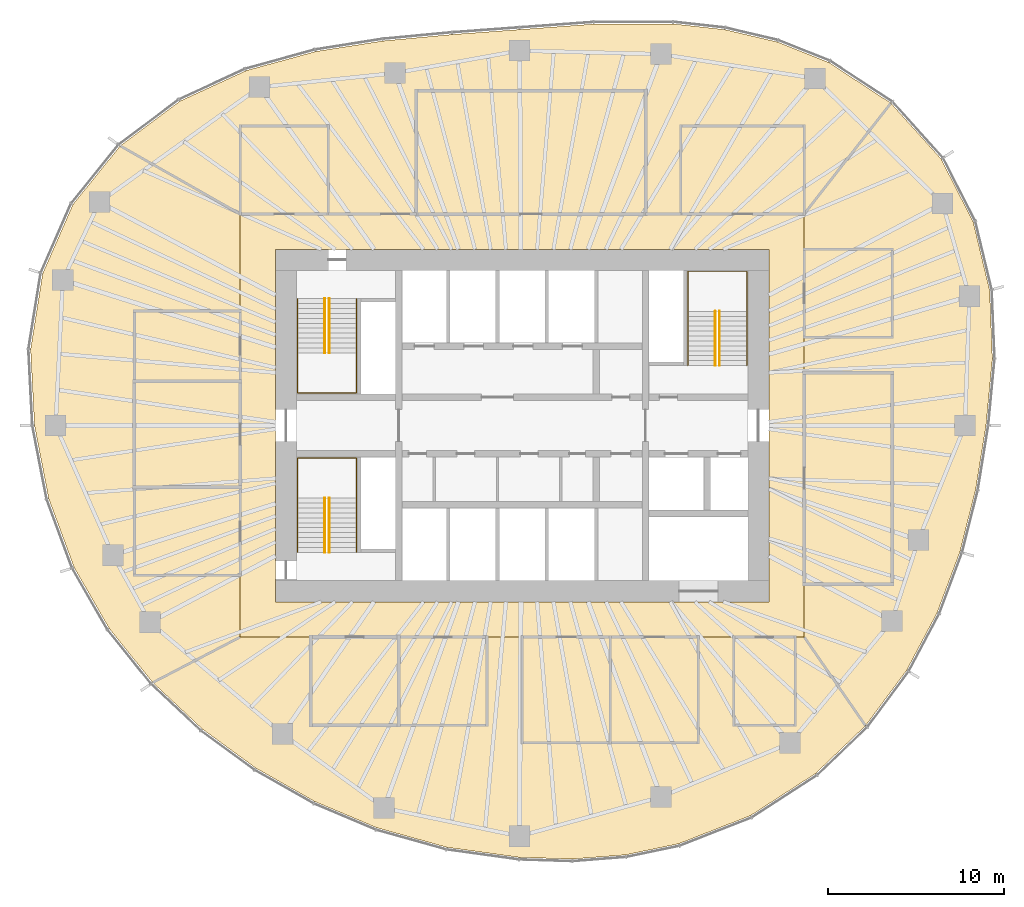
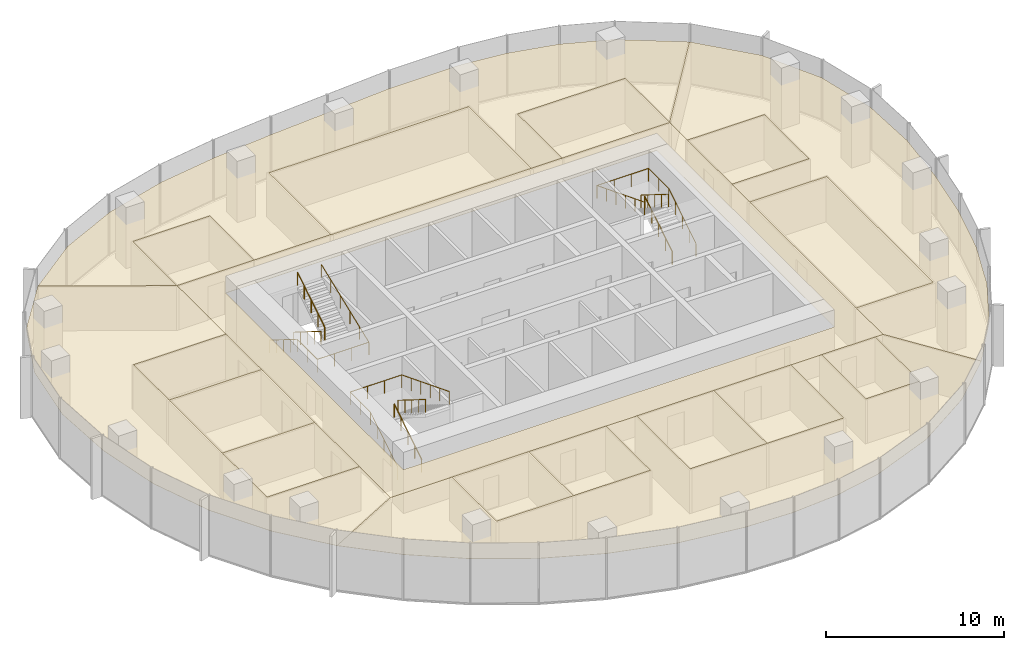
# One storey, part 11 of 11: 18 coverings, 9 railings.
"""IFC4 building model written with IfcOpenShell, lengths in metres."""

from ifc_helpers import new_model, si_unit, direction, frame, origin, origin_2d, place, context, subcontext, project, spatial, polyline, circle, outline, extrude, material, layer, layer_set, type_object, element, save


model = new_model("IFC4")

# Units and contexts
model_context = context("Model", 3, precision=1e-05, world=origin(), true_north=direction((0.0, 1.0)))
body_context = subcontext(model_context, "Body", "Model", "MODEL_VIEW")
ifc_project = project(units=[si_unit("LENGTHUNIT", "METRE"), si_unit("AREAUNIT", "SQUARE_METRE"), si_unit("VOLUMEUNIT", "CUBIC_METRE"), si_unit("PLANEANGLEUNIT", "RADIAN"), si_unit("MASSUNIT", "GRAM", prefix="KILO")], contexts=[model_context])

# Site, building, storey
site_placement = place(None, origin())
site = spatial("IfcSite", under=ifc_project, at=site_placement, CompositionType="ELEMENT")
building_placement = place(site_placement, origin())
building = spatial("IfcBuilding", under=site, at=building_placement, Name="Ghaith Harvest Tower", CompositionType="ELEMENT")
storey_placement = place(building_placement, frame((0.0, 0.0, 257.800048828125)))
storey = spatial("IfcBuildingStorey", under=building, at=storey_placement, Name="L57", CompositionType="ELEMENT", Elevation=257.800048828125)

# Coverings
ifc_material_1 = material(Name="Mineral fibre ceiling tile", Category="gypsum")
ifc_layer = layer(ifc_material_1, 0.02001953125)
ifc_layer_set = layer_set([ifc_layer], Name="CEILING C1")
covering_type = type_object("IfcCoveringType", Name="CEILING C1", PredefinedType="CEILING", material=ifc_layer_set)
covering_1_placement = place(storey_placement, frame((0.0, 0.0, 3.0)))
element("IfcCovering", 1, at=covering_1_placement, inside=storey, type_object=covering_type, Name="Ceiling L57-01", PredefinedType="CEILING", context=body_context, shape_type="SweptSolid", body=[
    extrude(outline(polyline([(-6.0, 12.0), (7.0, 12.0), (7.0, 19.0), (-6.0, 19.0), (-6.0, 12.0)])), origin(), (0.0, 0.0, 1.0), 0.02001953125),
])
covering_2_placement = place(storey_placement, frame((0.0, 0.0, 3.0)))
element("IfcCovering", 2, at=covering_2_placement, inside=storey, type_object=covering_type, Name="Ceiling L57-02", PredefinedType="CEILING", context=body_context, shape_type="SweptSolid", body=[
    extrude(outline(polyline([(9.0, 12.0), (16.0, 12.0), (16.0, 17.0), (9.0, 17.0), (9.0, 12.0)])), origin(), (0.0, 0.0, 1.0), 0.02001953125),
])
covering_3_placement = place(storey_placement, frame((0.0, 0.0, 3.0)))
element("IfcCovering", 3, at=covering_3_placement, inside=storey, type_object=covering_type, Name="Ceiling L57-03", PredefinedType="CEILING", context=body_context, shape_type="SweptSolid", body=[
    extrude(outline(polyline([(-16.0, 12.0), (-11.0, 12.0), (-11.0, 17.0), (-16.0, 17.0), (-16.0, 12.0)])), origin(), (0.0, 0.0, 1.0), 0.02001953125),
])
covering_4_placement = place(storey_placement, frame((0.0, 0.0, 3.0)))
element("IfcCovering", 4, at=covering_4_placement, inside=storey, type_object=covering_type, Name="Ceiling L57-04", PredefinedType="CEILING", context=body_context, shape_type="SweptSolid", body=[
    extrude(outline(polyline([(16.0, -9.0), (21.0, -9.0), (21.0, 3.0), (16.0, 3.0), (16.0, -9.0)])), origin(), (0.0, 0.0, 1.0), 0.02001953125),
])
covering_5_placement = place(storey_placement, frame((0.0, 0.0, 3.0)))
element("IfcCovering", 5, at=covering_5_placement, inside=storey, type_object=covering_type, Name="Ceiling L57-05", PredefinedType="CEILING", context=body_context, shape_type="SweptSolid", body=[
    extrude(outline(polyline([(-12.0, -17.0), (-7.0, -17.0), (-7.0, -12.0), (-12.0, -12.0), (-12.0, -17.0)])), origin(), (0.0, 0.0, 1.0), 0.02001953125),
])
covering_6_placement = place(storey_placement, frame((0.0, 0.0, 3.0)))
element("IfcCovering", 6, at=covering_6_placement, inside=storey, type_object=covering_type, Name="Ceiling L57-06", PredefinedType="CEILING", context=body_context, shape_type="SweptSolid", body=[
    extrude(outline(polyline([(-7.0, -17.0), (-2.0, -17.0), (-2.0, -12.0), (-7.0, -12.0), (-7.0, -17.0)])), origin(), (0.0, 0.0, 1.0), 0.02001953125),
])
covering_7_placement = place(storey_placement, frame((0.0, 0.0, 3.0)))
element("IfcCovering", 7, at=covering_7_placement, inside=storey, type_object=covering_type, Name="Ceiling L57-07", PredefinedType="CEILING", context=body_context, shape_type="SweptSolid", body=[
    extrude(outline(polyline([(0.0, -18.0), (5.0, -18.0), (5.0, -12.0), (0.0, -12.0), (0.0, -18.0)])), origin(), (0.0, 0.0, 1.0), 0.02001953125),
])
covering_8_placement = place(storey_placement, frame((0.0, 0.0, 3.0)))
element("IfcCovering", 8, at=covering_8_placement, inside=storey, type_object=covering_type, Name="Ceiling L57-08", PredefinedType="CEILING", context=body_context, shape_type="SweptSolid", body=[
    extrude(outline(polyline([(5.0, -18.0), (10.0, -18.0), (10.0, -12.0), (5.0, -12.0), (5.0, -18.0)])), origin(), (0.0, 0.0, 1.0), 0.02001953125),
])
covering_9_placement = place(storey_placement, frame((0.0, 0.0, 3.0)))
element("IfcCovering", 9, at=covering_9_placement, inside=storey, type_object=covering_type, Name="Ceiling L57-09", PredefinedType="CEILING", context=body_context, shape_type="SweptSolid", body=[
    extrude(outline(polyline([(-22.0, -8.5), (-16.0, -8.5), (-16.0, -3.5), (-22.0, -3.5), (-22.0, -8.5)])), origin(), (0.0, 0.0, 1.0), 0.02001953125),
])
covering_10_placement = place(storey_placement, frame((0.0, 0.0, 3.0)))
element("IfcCovering", 10, at=covering_10_placement, inside=storey, type_object=covering_type, Name="Ceiling L57-10", PredefinedType="CEILING", context=body_context, shape_type="SweptSolid", body=[
    extrude(outline(polyline([(-22.0, -3.5), (-16.0, -3.5), (-16.0, 2.5), (-22.0, 2.5), (-22.0, -3.5)])), origin(), (0.0, 0.0, 1.0), 0.02001953125),
])
covering_11_placement = place(storey_placement, frame((0.0, 0.0, 3.0)))
element("IfcCovering", 11, at=covering_11_placement, inside=storey, type_object=covering_type, Name="Ceiling L57-11", PredefinedType="CEILING", context=body_context, shape_type="SweptSolid", body=[
    extrude(outline(polyline([(-22.0, 2.5), (-16.0, 2.5), (-16.0, 6.5), (-22.0, 6.5), (-22.0, 2.5)])), origin(), (0.0, 0.0, 1.0), 0.02001953125),
])
covering_12_placement = place(storey_placement, frame((0.0, 0.0, 3.0)))
element("IfcCovering", 12, at=covering_12_placement, inside=storey, type_object=covering_type, Name="Ceiling L57-12", PredefinedType="CEILING", context=body_context, shape_type="SweptSolid", body=[
    extrude(outline(polyline([(12.0, -17.0), (15.5, -17.0), (15.5, -12.0), (12.0, -12.0), (12.0, -17.0)])), origin(), (0.0, 0.0, 1.0), 0.02001953125),
])
covering_13_placement = place(storey_placement, frame((0.0, 0.0, 3.0)))
element("IfcCovering", 13, at=covering_13_placement, inside=storey, type_object=covering_type, Name="Ceiling L57-13", PredefinedType="CEILING", context=body_context, shape_type="SweptSolid", body=[
    extrude(outline(polyline([(16.0, 5.0), (21.0, 5.0), (21.0, 10.0), (16.0, 10.0), (16.0, 5.0)])), origin(), (0.0, 0.0, 1.0), 0.02001953125),
])
covering_14_placement = place(storey_placement, frame((0.0, 0.0, 3.0)))
element("IfcCovering", 14, at=covering_14_placement, inside=storey, type_object=covering_type, Name="Ceiling L57-C1", PredefinedType="CEILING", context=body_context, shape_type="SweptSolid", body=[
    extrude(outline(polyline([(-16.0, 12.0), (16.0, 12.0), (16.0, -12.0), (-16.0, -12.0), (-16.0, 12.0)]), holes=[polyline([(-14.0, 10.0), (-14.0, -10.0), (14.0, -10.0), (14.0, 10.0), (-14.0, 10.0)])]), origin(), (0.0, 0.0, 1.0), 0.02001953125),
])
covering_15_placement = place(storey_placement, frame((0.0, 0.0, 3.0)))
element("IfcCovering", 15, at=covering_15_placement, inside=storey, type_object=covering_type, Name="Ceiling L57-N1", PredefinedType="CEILING", context=body_context, shape_type="SweptSolid", body=[
    extrude(outline(polyline([(-19.408203125, 18.41650390625), (-15.6474609375, 20.147705078125), (-11.694580078125, 21.2314453125), (-7.8837890625, 21.827880859375), (-3.963134765625, 22.192138671875), (-0.15380859375, 22.470458984375), (4.03857421875, 22.78125), (8.522216796875, 22.796875), (11.47265625, 22.47265625), (14.460693359375, 21.771484375), (17.382080078125, 20.612548828125), (20.923095703125, 18.295166015625), (16.0, 12.0), (16.0, 17.0), (9.0, 17.0), (9.0, 12.0), (7.0, 12.0), (7.0, 19.0), (-6.0, 19.0), (-6.0, 12.0), (-11.0, 12.0), (-11.0, 17.0), (-16.0, 17.0), (-16.0, 12.0), (-22.809814453125, 15.87109375), (-19.408203125, 18.41650390625)])), origin(), (0.0, 0.0, 1.0), 0.02001953125),
])
covering_16_placement = place(storey_placement, frame((0.0, 0.0, 3.0)))
element("IfcCovering", 16, at=covering_16_placement, inside=storey, type_object=covering_type, Name="Ceiling L57-E1", PredefinedType="CEILING", context=body_context, shape_type="SweptSolid", body=[
    extrude(outline(polyline([(23.77294921875, 15.12939453125), (25.597900390625, 11.55615234375), (26.531005859375, 7.668212890625), (26.685791015625, 3.779052734375), (26.324951171875, 0.0), (25.734375, -3.644287109375), (24.840576171875, -7.179443359375), (23.548828125, -10.631103515625), (21.821533203125, -13.887451171875), (19.48388671875, -17.036865234375), (16.0, -12.0), (16.0, -9.0), (21.0, -9.0), (21.0, 3.0), (16.0, 3.0), (16.0, 5.0), (21.0, 5.0), (21.0, 10.0), (16.0, 10.0), (16.0, 12.0), (20.923095703125, 18.295166015625), (23.77294921875, 15.12939453125)])), origin(), (0.0, 0.0, 1.0), 0.02001953125),
])
covering_17_placement = place(storey_placement, frame((0.0, 0.0, 3.0)))
element("IfcCovering", 17, at=covering_17_placement, inside=storey, type_object=covering_type, Name="Ceiling L57-S1", PredefinedType="CEILING", context=body_context, shape_type="SweptSolid", body=[
    extrude(outline(polyline([(-18.15087890625, -17.223388671875), (-20.963134765625, -14.586181640625), (-16.0, -12.0), (-12.0, -12.0), (-12.0, -17.0), (-2.0, -17.0), (-2.0, -12.0), (0.0, -12.0), (0.0, -18.0), (10.0, -18.0), (10.0, -12.0), (12.0, -12.0), (12.0, -17.0), (15.5, -17.0), (15.5, -12.0), (16.0, -12.0), (19.48388671875, -17.036865234375), (16.651611328125, -19.746337890625), (12.949462890625, -22.1435546875), (8.8740234375, -23.73779296875), (5.865234375, -24.3662109375), (2.833984375, -24.602294921875), (-0.167724609375, -24.505126953125), (-4.27490234375, -23.9375), (-8.2451171875, -22.82861328125), (-11.75732421875, -21.345703125), (-15.10400390625, -19.447998046875), (-18.15087890625, -17.223388671875)])), origin(), (0.0, 0.0, 1.0), 0.02001953125),
])
covering_18_placement = place(storey_placement, frame((0.0, 0.0, 3.0)))
element("IfcCovering", 18, at=covering_18_placement, inside=storey, type_object=covering_type, Name="Ceiling L57-W1", PredefinedType="CEILING", context=body_context, shape_type="SweptSolid", body=[
    extrude(outline(polyline([(-23.425537109375, -11.530517578125), (-25.424072265625, -8.057373046875), (-26.86669921875, -4.155517578125), (-27.675048828125, 0.0), (-27.897216796875, 4.314697265625), (-27.211181640625, 8.623779296875), (-25.491943359375, 12.547607421875), (-22.809814453125, 15.87109375), (-16.0, 12.0), (-16.0, 6.5), (-22.0, 6.5), (-22.0, -8.5), (-16.0, -8.5), (-16.0, -12.0), (-20.963134765625, -14.586181640625), (-23.425537109375, -11.530517578125)])), origin(), (0.0, 0.0, 1.0), 0.02001953125),
])

# Railings
ifc_material_2 = material(Name="Steel, black powder-coated", Category="steel")
railing_type = type_object("IfcRailingType", Name="HANDRAIL HR1", PredefinedType="HANDRAIL", material=ifc_material_2)
railing_1_placement = place(storey_placement, frame((-11.199951171875, 7.199951171875, 0.175048828125)))
element("IfcRailing", 19, at=railing_1_placement, inside=storey, type_object=railing_type, Name="Handrail HR1 stair ST1 L57 flight 1 inner", PredefinedType="HANDRAIL", context=body_context, shape_type="SweptSolid", body=[
    extrude(circle(Radius=0.02392578125, at=origin_2d()), frame((0.0, 0.0, 0.8759765625), z_axis=(0.0, -0.848009633417, 0.529980812513), x_axis=(1.0, 0.0, 0.0)), (0.0, 0.0, 1.0), 3.6318359375),
    extrude(circle(Radius=0.02099609375, at=origin_2d()), origin(), (0.0, 0.0, 1.0), 0.851806640625),
    extrude(circle(Radius=0.02099609375, at=origin_2d()), frame((0.0, -0.77001953125, 0.481201171875)), (0.0, 0.0, 1.0), 0.851806640625),
    extrude(circle(Radius=0.02099609375, at=origin_2d()), frame((0.0, -1.5400390625, 0.96240234375)), (0.0, 0.0, 1.0), 0.851806640625),
    extrude(circle(Radius=0.02099609375, at=origin_2d()), frame((0.0, -2.309814453125, 1.443603515625)), (0.0, 0.0, 1.0), 0.851806640625),
    extrude(circle(Radius=0.02099609375, at=origin_2d()), frame((0.0, -3.079833984375, 1.9248046875)), (0.0, 0.0, 1.0), 0.851806640625),
])
railing_2_placement = place(storey_placement, frame((-10.949951171875, 4.1201171875, 2.27490234375)))
element("IfcRailing", 20, at=railing_2_placement, inside=storey, type_object=railing_type, Name="Handrail HR1 stair ST1 L57 flight 2 inner", PredefinedType="HANDRAIL", context=body_context, shape_type="SweptSolid", body=[
    extrude(circle(Radius=0.02392578125, at=origin_2d()), frame((0.0, 0.0, 0.8759765625), z_axis=(0.0, 0.847979421464, 0.530029150871), x_axis=(-1.0, 0.0, 0.0)), (0.0, 0.0, 1.0), 3.632080078125),
    extrude(circle(Radius=0.02099609375, at=origin_2d()), origin(), (0.0, 0.0, 1.0), 0.851806640625),
    extrude(circle(Radius=0.02099609375, at=origin_2d()), frame((0.0, 0.77001953125, 0.481201171875)), (0.0, 0.0, 1.0), 0.851806640625),
    extrude(circle(Radius=0.02099609375, at=origin_2d()), frame((0.0, 1.5400390625, 0.96240234375)), (0.0, 0.0, 1.0), 0.851806640625),
    extrude(circle(Radius=0.02099609375, at=origin_2d()), frame((0.0, 2.309814453125, 1.44384765625)), (0.0, 0.0, 1.0), 0.851806640625),
    extrude(circle(Radius=0.02099609375, at=origin_2d()), frame((0.0, 3.079833984375, 1.925048828125)), (0.0, 0.0, 1.0), 0.851806640625),
])
railing_3_placement = place(storey_placement, frame((-12.75, 7.199951171875, 0.175048828125)))
element("IfcRailing", 21, at=railing_3_placement, inside=storey, type_object=railing_type, Name="Handrail HR1 stair ST1 L57 wall side", PredefinedType="HANDRAIL", context=body_context, shape_type="SweptSolid", body=[
    extrude(circle(Radius=0.02392578125, at=origin_2d()), frame((0.0, 0.0, 0.8759765625), z_axis=(0.0, -0.848009633417, 0.529980812513), x_axis=(1.0, 0.0, 0.0)), (0.0, 0.0, 1.0), 3.6318359375),
    extrude(circle(Radius=0.02392578125, at=origin_2d()), frame((0.0, -3.079833984375, 2.80078125), z_axis=(0.0, -1.0, 0.0), x_axis=(1.0, 0.0, 0.0)), (0.0, 0.0, 1.0), 2.27001953125),
    extrude(circle(Radius=0.02392578125, at=origin_2d()), frame((0.0, -5.349853515625, 2.80078125), z_axis=(1.0, 0.0, 0.0), x_axis=(0.0, 1.0, 0.0)), (0.0, 0.0, 1.0), 3.35009765625),
    extrude(circle(Radius=0.02392578125, at=origin_2d()), frame((3.35009765625, -5.349853515625, 2.80078125), z_axis=(0.0, 0.930848013298, 0.36540659017), x_axis=(-1.0, 0.0, 0.0)), (0.0, 0.0, 1.0), 5.747314453125),
    extrude(circle(Radius=0.02099609375, at=origin_2d()), origin(), (0.0, 0.0, 1.0), 0.851806640625),
    extrude(circle(Radius=0.02099609375, at=origin_2d()), frame((0.0, -0.77001953125, 0.481201171875)), (0.0, 0.0, 1.0), 0.851806640625),
    extrude(circle(Radius=0.02099609375, at=origin_2d()), frame((0.0, -1.5400390625, 0.96240234375)), (0.0, 0.0, 1.0), 0.851806640625),
    extrude(circle(Radius=0.02099609375, at=origin_2d()), frame((0.0, -2.309814453125, 1.443603515625)), (0.0, 0.0, 1.0), 0.851806640625),
    extrude(circle(Radius=0.02099609375, at=origin_2d()), frame((0.0, -3.079833984375, 1.9248046875)), (0.0, 0.0, 1.0), 0.851806640625),
    extrude(circle(Radius=0.02099609375, at=origin_2d()), frame((0.0, -4.21484375, 1.9248046875)), (0.0, 0.0, 1.0), 0.851806640625),
    extrude(circle(Radius=0.02099609375, at=origin_2d()), frame((0.0, -5.349853515625, 1.9248046875)), (0.0, 0.0, 1.0), 0.851806640625),
    extrude(circle(Radius=0.02099609375, at=origin_2d()), frame((1.11669921875, -5.349853515625, 1.9248046875)), (0.0, 0.0, 1.0), 0.851806640625),
    extrude(circle(Radius=0.02099609375, at=origin_2d()), frame((2.2333984375, -5.349853515625, 1.9248046875)), (0.0, 0.0, 1.0), 0.851806640625),
    extrude(circle(Radius=0.02099609375, at=origin_2d()), frame((3.35009765625, -5.349853515625, 1.9248046875)), (0.0, 0.0, 1.0), 0.851806640625),
    extrude(circle(Radius=0.02099609375, at=origin_2d()), frame((3.35009765625, -4.27978515625, 2.3447265625)), (0.0, 0.0, 1.0), 0.851806640625),
    extrude(circle(Radius=0.02099609375, at=origin_2d()), frame((3.35009765625, -3.2099609375, 2.764892578125)), (0.0, 0.0, 1.0), 0.851806640625),
    extrude(circle(Radius=0.02099609375, at=origin_2d()), frame((3.35009765625, -2.139892578125, 3.184814453125)), (0.0, 0.0, 1.0), 0.851806640625),
    extrude(circle(Radius=0.02099609375, at=origin_2d()), frame((3.35009765625, -1.070068359375, 3.60498046875)), (0.0, 0.0, 1.0), 0.851806640625),
    extrude(circle(Radius=0.02099609375, at=origin_2d()), frame((3.35009765625, 0.0, 4.02490234375)), (0.0, 0.0, 1.0), 0.851806640625),
])
railing_4_placement = place(storey_placement, frame((-11.199951171875, -7.199951171875, 0.175048828125)))
element("IfcRailing", 22, at=railing_4_placement, inside=storey, type_object=railing_type, Name="Handrail HR1 stair ST3 L57 flight 1 inner", PredefinedType="HANDRAIL", context=body_context, shape_type="SweptSolid", body=[
    extrude(circle(Radius=0.02392578125, at=origin_2d()), frame((0.0, 0.0, 0.8759765625), z_axis=(0.0, 0.848009633417, 0.529980812513), x_axis=(-1.0, 0.0, 0.0)), (0.0, 0.0, 1.0), 3.6318359375),
    extrude(circle(Radius=0.02099609375, at=origin_2d()), origin(), (0.0, 0.0, 1.0), 0.851806640625),
    extrude(circle(Radius=0.02099609375, at=origin_2d()), frame((0.0, 0.77001953125, 0.481201171875)), (0.0, 0.0, 1.0), 0.851806640625),
    extrude(circle(Radius=0.02099609375, at=origin_2d()), frame((0.0, 1.5400390625, 0.96240234375)), (0.0, 0.0, 1.0), 0.851806640625),
    extrude(circle(Radius=0.02099609375, at=origin_2d()), frame((0.0, 2.309814453125, 1.443603515625)), (0.0, 0.0, 1.0), 0.851806640625),
    extrude(circle(Radius=0.02099609375, at=origin_2d()), frame((0.0, 3.079833984375, 1.9248046875)), (0.0, 0.0, 1.0), 0.851806640625),
])
railing_5_placement = place(storey_placement, frame((-10.949951171875, -4.1201171875, 2.27490234375)))
element("IfcRailing", 23, at=railing_5_placement, inside=storey, type_object=railing_type, Name="Handrail HR1 stair ST3 L57 flight 2 inner", PredefinedType="HANDRAIL", context=body_context, shape_type="SweptSolid", body=[
    extrude(circle(Radius=0.02392578125, at=origin_2d()), frame((0.0, 0.0, 0.8759765625), z_axis=(0.0, -0.847979421464, 0.530029150871), x_axis=(1.0, 0.0, 0.0)), (0.0, 0.0, 1.0), 3.632080078125),
    extrude(circle(Radius=0.02099609375, at=origin_2d()), origin(), (0.0, 0.0, 1.0), 0.851806640625),
    extrude(circle(Radius=0.02099609375, at=origin_2d()), frame((0.0, -0.77001953125, 0.481201171875)), (0.0, 0.0, 1.0), 0.851806640625),
    extrude(circle(Radius=0.02099609375, at=origin_2d()), frame((0.0, -1.5400390625, 0.96240234375)), (0.0, 0.0, 1.0), 0.851806640625),
    extrude(circle(Radius=0.02099609375, at=origin_2d()), frame((0.0, -2.309814453125, 1.44384765625)), (0.0, 0.0, 1.0), 0.851806640625),
    extrude(circle(Radius=0.02099609375, at=origin_2d()), frame((0.0, -3.079833984375, 1.925048828125)), (0.0, 0.0, 1.0), 0.851806640625),
])
railing_6_placement = place(storey_placement, frame((-12.75, -7.199951171875, 0.175048828125)))
element("IfcRailing", 24, at=railing_6_placement, inside=storey, type_object=railing_type, Name="Handrail HR1 stair ST3 L57 wall side", PredefinedType="HANDRAIL", context=body_context, shape_type="SweptSolid", body=[
    extrude(circle(Radius=0.02392578125, at=origin_2d()), frame((0.0, 0.0, 0.8759765625), z_axis=(0.0, 0.848009633417, 0.529980812513), x_axis=(-1.0, 0.0, 0.0)), (0.0, 0.0, 1.0), 3.6318359375),
    extrude(circle(Radius=0.02392578125, at=origin_2d()), frame((0.0, 3.079833984375, 2.80078125), z_axis=(0.0, 1.0, 0.0), x_axis=(-1.0, 0.0, 0.0)), (0.0, 0.0, 1.0), 2.27001953125),
    extrude(circle(Radius=0.02392578125, at=origin_2d()), frame((0.0, 5.349853515625, 2.80078125), z_axis=(1.0, 0.0, 0.0), x_axis=(0.0, 1.0, 0.0)), (0.0, 0.0, 1.0), 3.35009765625),
    extrude(circle(Radius=0.02392578125, at=origin_2d()), frame((3.35009765625, 5.349853515625, 2.80078125), z_axis=(0.0, -0.930848013298, 0.36540659017), x_axis=(1.0, 0.0, 0.0)), (0.0, 0.0, 1.0), 5.747314453125),
    extrude(circle(Radius=0.02099609375, at=origin_2d()), origin(), (0.0, 0.0, 1.0), 0.851806640625),
    extrude(circle(Radius=0.02099609375, at=origin_2d()), frame((0.0, 0.77001953125, 0.481201171875)), (0.0, 0.0, 1.0), 0.851806640625),
    extrude(circle(Radius=0.02099609375, at=origin_2d()), frame((0.0, 1.5400390625, 0.96240234375)), (0.0, 0.0, 1.0), 0.851806640625),
    extrude(circle(Radius=0.02099609375, at=origin_2d()), frame((0.0, 2.309814453125, 1.443603515625)), (0.0, 0.0, 1.0), 0.851806640625),
    extrude(circle(Radius=0.02099609375, at=origin_2d()), frame((0.0, 3.079833984375, 1.9248046875)), (0.0, 0.0, 1.0), 0.851806640625),
    extrude(circle(Radius=0.02099609375, at=origin_2d()), frame((0.0, 4.21484375, 1.9248046875)), (0.0, 0.0, 1.0), 0.851806640625),
    extrude(circle(Radius=0.02099609375, at=origin_2d()), frame((0.0, 5.349853515625, 1.9248046875)), (0.0, 0.0, 1.0), 0.851806640625),
    extrude(circle(Radius=0.02099609375, at=origin_2d()), frame((1.11669921875, 5.349853515625, 1.9248046875)), (0.0, 0.0, 1.0), 0.851806640625),
    extrude(circle(Radius=0.02099609375, at=origin_2d()), frame((2.2333984375, 5.349853515625, 1.9248046875)), (0.0, 0.0, 1.0), 0.851806640625),
    extrude(circle(Radius=0.02099609375, at=origin_2d()), frame((3.35009765625, 5.349853515625, 1.9248046875)), (0.0, 0.0, 1.0), 0.851806640625),
    extrude(circle(Radius=0.02099609375, at=origin_2d()), frame((3.35009765625, 4.27978515625, 2.3447265625)), (0.0, 0.0, 1.0), 0.851806640625),
    extrude(circle(Radius=0.02099609375, at=origin_2d()), frame((3.35009765625, 3.2099609375, 2.764892578125)), (0.0, 0.0, 1.0), 0.851806640625),
    extrude(circle(Radius=0.02099609375, at=origin_2d()), frame((3.35009765625, 2.139892578125, 3.184814453125)), (0.0, 0.0, 1.0), 0.851806640625),
    extrude(circle(Radius=0.02099609375, at=origin_2d()), frame((3.35009765625, 1.070068359375, 3.60498046875)), (0.0, 0.0, 1.0), 0.851806640625),
    extrude(circle(Radius=0.02099609375, at=origin_2d()), frame((3.35009765625, 0.0, 4.02490234375)), (0.0, 0.0, 1.0), 0.851806640625),
])
railing_7_placement = place(storey_placement, frame((11.199951171875, 3.39990234375, 0.175048828125)))
element("IfcRailing", 25, at=railing_7_placement, inside=storey, type_object=railing_type, Name="Handrail HR1 stair ST2 L57 flight 1 inner", PredefinedType="HANDRAIL", context=body_context, shape_type="SweptSolid", body=[
    extrude(circle(Radius=0.02392578125, at=origin_2d()), frame((0.0, 0.0, 0.8759765625), z_axis=(0.0, 0.848028513186, 0.529950602248), x_axis=(-1.0, 0.0, 0.0)), (0.0, 0.0, 1.0), 3.632080078125),
    extrude(circle(Radius=0.02099609375, at=origin_2d()), origin(), (0.0, 0.0, 1.0), 0.851806640625),
    extrude(circle(Radius=0.02099609375, at=origin_2d()), frame((0.0, 0.77001953125, 0.481201171875)), (0.0, 0.0, 1.0), 0.851806640625),
    extrude(circle(Radius=0.02099609375, at=origin_2d()), frame((0.0, 1.5400390625, 0.96240234375)), (0.0, 0.0, 1.0), 0.851806640625),
    extrude(circle(Radius=0.02099609375, at=origin_2d()), frame((0.0, 2.31005859375, 1.443603515625)), (0.0, 0.0, 1.0), 0.851806640625),
    extrude(circle(Radius=0.02099609375, at=origin_2d()), frame((0.0, 3.080078125, 1.9248046875)), (0.0, 0.0, 1.0), 0.851806640625),
])
railing_8_placement = place(storey_placement, frame((10.949951171875, 6.47998046875, 2.27490234375)))
element("IfcRailing", 26, at=railing_8_placement, inside=storey, type_object=railing_type, Name="Handrail HR1 stair ST2 L57 flight 2 inner", PredefinedType="HANDRAIL", context=body_context, shape_type="SweptSolid", body=[
    extrude(circle(Radius=0.02392578125, at=origin_2d()), frame((0.0, 0.0, 0.8759765625), z_axis=(0.0, -0.847998304005, 0.529998940003), x_axis=(1.0, 0.0, 0.0)), (0.0, 0.0, 1.0), 3.632080078125),
    extrude(circle(Radius=0.02099609375, at=origin_2d()), origin(), (0.0, 0.0, 1.0), 0.851806640625),
    extrude(circle(Radius=0.02099609375, at=origin_2d()), frame((0.0, -0.77001953125, 0.481201171875)), (0.0, 0.0, 1.0), 0.851806640625),
    extrude(circle(Radius=0.02099609375, at=origin_2d()), frame((0.0, -1.5400390625, 0.96240234375)), (0.0, 0.0, 1.0), 0.851806640625),
    extrude(circle(Radius=0.02099609375, at=origin_2d()), frame((0.0, -2.31005859375, 1.44384765625)), (0.0, 0.0, 1.0), 0.851806640625),
    extrude(circle(Radius=0.02099609375, at=origin_2d()), frame((0.0, -3.080078125, 1.925048828125)), (0.0, 0.0, 1.0), 0.851806640625),
])
railing_9_placement = place(storey_placement, frame((12.75, 3.39990234375, 0.175048828125)))
element("IfcRailing", 27, at=railing_9_placement, inside=storey, type_object=railing_type, Name="Handrail HR1 stair ST2 L57 wall side", PredefinedType="HANDRAIL", context=body_context, shape_type="SweptSolid", body=[
    extrude(circle(Radius=0.02392578125, at=origin_2d()), frame((0.0, 0.0, 0.8759765625), z_axis=(0.0, 0.848028513186, 0.529950602248), x_axis=(-1.0, 0.0, 0.0)), (0.0, 0.0, 1.0), 3.632080078125),
    extrude(circle(Radius=0.02392578125, at=origin_2d()), frame((0.0, 3.080078125, 2.80078125), z_axis=(0.0, 1.0, 0.0), x_axis=(-1.0, 0.0, 0.0)), (0.0, 0.0, 1.0), 2.27001953125),
    extrude(circle(Radius=0.02392578125, at=origin_2d()), frame((0.0, 5.35009765625, 2.80078125), z_axis=(-1.0, 0.0, 0.0), x_axis=(0.0, -1.0, 0.0)), (0.0, 0.0, 1.0), 3.35009765625),
    extrude(circle(Radius=0.02392578125, at=origin_2d()), frame((-3.35009765625, 5.35009765625, 2.80078125), z_axis=(0.0, -0.930853684876, 0.365392141887), x_axis=(1.0, 0.0, 0.0)), (0.0, 0.0, 1.0), 5.74755859375),
    extrude(circle(Radius=0.02099609375, at=origin_2d()), origin(), (0.0, 0.0, 1.0), 0.851806640625),
    extrude(circle(Radius=0.02099609375, at=origin_2d()), frame((0.0, 0.77001953125, 0.481201171875)), (0.0, 0.0, 1.0), 0.851806640625),
    extrude(circle(Radius=0.02099609375, at=origin_2d()), frame((0.0, 1.5400390625, 0.96240234375)), (0.0, 0.0, 1.0), 0.851806640625),
    extrude(circle(Radius=0.02099609375, at=origin_2d()), frame((0.0, 2.31005859375, 1.443603515625)), (0.0, 0.0, 1.0), 0.851806640625),
    extrude(circle(Radius=0.02099609375, at=origin_2d()), frame((0.0, 3.080078125, 1.9248046875)), (0.0, 0.0, 1.0), 0.851806640625),
    extrude(circle(Radius=0.02099609375, at=origin_2d()), frame((0.0, 4.215087890625, 1.9248046875)), (0.0, 0.0, 1.0), 0.851806640625),
    extrude(circle(Radius=0.02099609375, at=origin_2d()), frame((0.0, 5.35009765625, 1.9248046875)), (0.0, 0.0, 1.0), 0.851806640625),
    extrude(circle(Radius=0.02099609375, at=origin_2d()), frame((-1.11669921875, 5.35009765625, 1.9248046875)), (0.0, 0.0, 1.0), 0.851806640625),
    extrude(circle(Radius=0.02099609375, at=origin_2d()), frame((-2.2333984375, 5.35009765625, 1.9248046875)), (0.0, 0.0, 1.0), 0.851806640625),
    extrude(circle(Radius=0.02099609375, at=origin_2d()), frame((-3.35009765625, 5.35009765625, 1.9248046875)), (0.0, 0.0, 1.0), 0.851806640625),
    extrude(circle(Radius=0.02099609375, at=origin_2d()), frame((-3.35009765625, 4.280029296875, 2.3447265625)), (0.0, 0.0, 1.0), 0.851806640625),
    extrude(circle(Radius=0.02099609375, at=origin_2d()), frame((-3.35009765625, 3.2099609375, 2.764892578125)), (0.0, 0.0, 1.0), 0.851806640625),
    extrude(circle(Radius=0.02099609375, at=origin_2d()), frame((-3.35009765625, 2.14013671875, 3.184814453125)), (0.0, 0.0, 1.0), 0.851806640625),
    extrude(circle(Radius=0.02099609375, at=origin_2d()), frame((-3.35009765625, 1.070068359375, 3.60498046875)), (0.0, 0.0, 1.0), 0.851806640625),
    extrude(circle(Radius=0.02099609375, at=origin_2d()), frame((-3.35009765625, 0.0, 4.02490234375)), (0.0, 0.0, 1.0), 0.851806640625),
])

save(model, "model.ifc")
